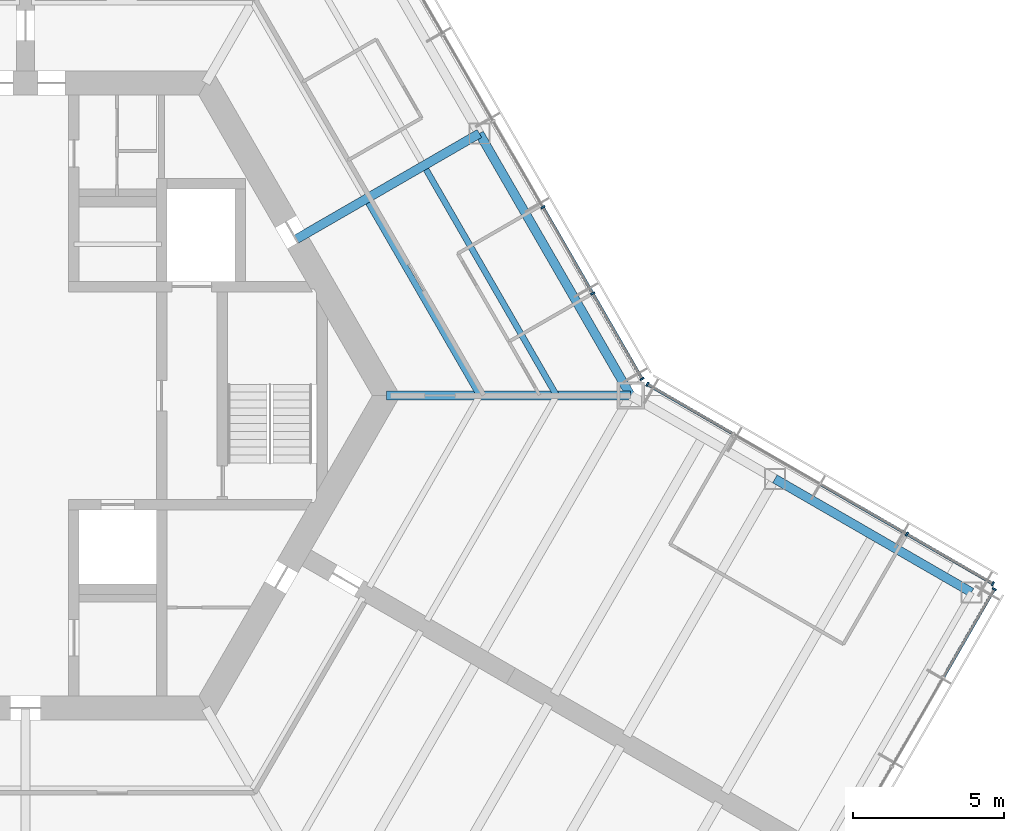
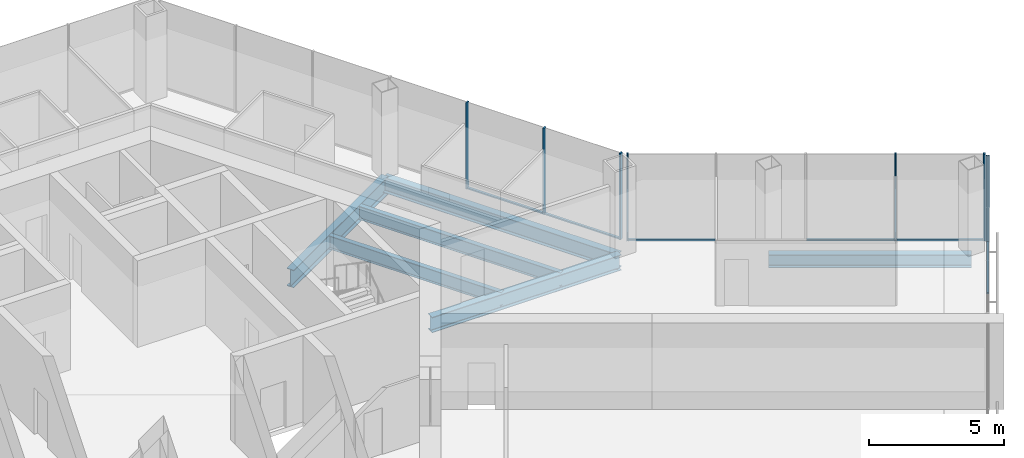
# One storey, part 5 of 15: 13 members, 6 beams, 3 elements without a shape of their own.
"""IFC4 building model written with IfcOpenShell, lengths in metres."""

from ifc_helpers import new_model, si_unit, direction, frame, origin, origin_2d, place, context, subcontext, project, spatial, rectangle, i_section, extrude, material, material_profile, profile_set, type_object, element, aggregate, save


model = new_model("IFC4")

# Units and contexts
model_context = context("Model", 3, precision=1e-05, world=origin(), true_north=direction((0.0, 1.0)))
body_context = subcontext(model_context, "Body", "Model", "MODEL_VIEW")
ifc_project = project(units=[si_unit("LENGTHUNIT", "METRE"), si_unit("AREAUNIT", "SQUARE_METRE"), si_unit("VOLUMEUNIT", "CUBIC_METRE"), si_unit("PLANEANGLEUNIT", "RADIAN"), si_unit("MASSUNIT", "GRAM", prefix="KILO")], contexts=[model_context])

# Site, building, storey
site_placement = place(None, origin())
site = spatial("IfcSite", under=ifc_project, at=site_placement, CompositionType="ELEMENT")
building_placement = place(site_placement, origin())
building = spatial("IfcBuilding", under=site, at=building_placement, Name="Kasaneha Research Tower", CompositionType="ELEMENT")
storey_placement = place(building_placement, frame((0.0, 0.0, 212.800048828125)))
storey = spatial("IfcBuildingStorey", under=building, at=storey_placement, Name="L53", CompositionType="ELEMENT", Elevation=212.800048828125)

# Beams
ifc_material_1 = material(Name="Steel SN490B", Category="steel")
ifc_material_profile_1 = material_profile(ifc_material_1, i_section(OverallWidth=0.199951171875, OverallDepth=0.60009765625, WebThickness=0.010986328125, FlangeThickness=0.01708984375, FilletRadius=0.012939453125, at=origin_2d()), Name="H-600x200x11x17")
ifc_profile_set_1 = profile_set([ifc_material_profile_1], Name="Steel SN490B")
beam_type_1 = type_object("IfcBeamType", Name="B1-3 secondary beam H-600x200x11x17", PredefinedType="JOIST", material=ifc_profile_set_1)
beam_1_placement = place(storey_placement, frame((15.010986328125, 0.0, -0.449951171875), z_axis=(-0.499994443168, 0.866028611999, 0.0), x_axis=(-0.866028611999, -0.499994443168, 0.0)))
element("IfcBeam", 1, at=beam_1_placement, inside=storey, type_object=beam_type_1, Name="Secondary beam RS030L1 L53", PredefinedType="JOIST", context=body_context, shape_type="SweptSolid", body=[
    extrude(i_section(OverallWidth=0.199951171875, OverallDepth=0.60009765625, WebThickness=0.010986328125, FlangeThickness=0.01708984375, FilletRadius=0.012939453125, at=origin_2d()), origin(), (0.0, 0.0, 1.0), 7.35546875),
])
beam_2_placement = place(storey_placement, frame((17.551513671875, 0.0, -0.449951171875), z_axis=(-0.5000050195, 0.866022505755, 0.0), x_axis=(-0.866022505755, -0.5000050195, 0.0)))
element("IfcBeam", 2, at=beam_2_placement, inside=storey, type_object=beam_type_1, Name="Secondary beam RS030L2 L53", PredefinedType="JOIST", context=body_context, shape_type="SweptSolid", body=[
    extrude(i_section(OverallWidth=0.199951171875, OverallDepth=0.60009765625, WebThickness=0.010986328125, FlangeThickness=0.01708984375, FilletRadius=0.012939453125, at=origin_2d()), origin(), (0.0, 0.0, 1.0), 8.6259765625),
])

# Curtain wall, members
ifc_material_2 = material(Name="Glass and aluminium", Category="aluminium")
curtain_wall_type = type_object("IfcCurtainWallType", Name="High-rise office curtain wall", PredefinedType="USERDEFINED", material=ifc_material_2)
curtain_wall_1_placement = place(storey_placement, origin())
curtain_wall_1 = element("IfcCurtainWall", 3, at=curtain_wall_1_placement, inside=storey, type_object=curtain_wall_type, Name="CW-O3 L53 run 01a", ObjectType="UNITISED CURTAIN WALL", PredefinedType="USERDEFINED")
ifc_material_3 = material(Name="Aluminium 6063-T6", Category="aluminium")
ifc_material_profile_2 = material_profile(ifc_material_3, rectangle(XDim=0.06005859375, YDim=0.139892578125, at=origin_2d()), Name="CW-O3 mullion 60x140")
ifc_profile_set_2 = profile_set([ifc_material_profile_2], Name="Aluminium 6063-T6")
member_type_1 = type_object("IfcMemberType", Name="CW-O3 mullion", PredefinedType="MULLION", material=ifc_profile_set_2)
member_1_placement = place(storey_placement, frame((20.374267578125, 0.5517578125, 0.0), z_axis=(0.0, 0.0, 1.0), x_axis=(-0.499999979232, 0.866025415775, 0.0)))
member_1 = element("IfcMember", 4, at=member_1_placement, type_object=member_type_1, Name="CW-O3 mullion 1", PredefinedType="MULLION", context=body_context, shape_type="SweptSolid", body=[
    extrude(rectangle(XDim=0.06005859375, YDim=0.139892578125, at=origin_2d()), origin(), (0.0, 0.0, 1.0), 3.89990234375),
])
member_2_placement = place(storey_placement, frame((18.744384765625, 3.374755859375, 0.0), z_axis=(0.0, 0.0, 1.0), x_axis=(-0.499999979232, 0.866025415775, 0.0)))
member_2 = element("IfcMember", 5, at=member_2_placement, type_object=member_type_1, Name="CW-O3 mullion 2", PredefinedType="MULLION", context=body_context, shape_type="SweptSolid", body=[
    extrude(rectangle(XDim=0.06005859375, YDim=0.139892578125, at=origin_2d()), origin(), (0.0, 0.0, 1.0), 3.89990234375),
])
member_3_placement = place(storey_placement, frame((17.099609375, 6.223388671875, 0.0), z_axis=(0.0, 0.0, 1.0), x_axis=(-0.499999979232, 0.866025415775, 0.0)))
member_3 = element("IfcMember", 6, at=member_3_placement, type_object=member_type_1, Name="CW-O3 mullion 3", PredefinedType="MULLION", context=body_context, shape_type="SweptSolid", body=[
    extrude(rectangle(XDim=0.06005859375, YDim=0.139892578125, at=origin_2d()), origin(), (0.0, 0.0, 1.0), 3.89990234375),
])

# Curtain wall, member
curtain_wall_2_placement = place(storey_placement, origin())
curtain_wall_2 = element("IfcCurtainWall", 7, at=curtain_wall_2_placement, inside=storey, type_object=curtain_wall_type, Name="CW-O3 L53 run 08a", ObjectType="UNITISED CURTAIN WALL", PredefinedType="USERDEFINED")
member_4_placement = place(storey_placement, frame((32.012939453125, -6.39306640625, 0.0), z_axis=(0.0, 0.0, 1.0), x_axis=(0.500000011442, 0.866025397178, 0.0)))
member_4 = element("IfcMember", 8, at=member_4_placement, type_object=member_type_1, Name="CW-O3 mullion 4", PredefinedType="MULLION", context=body_context, shape_type="SweptSolid", body=[
    extrude(rectangle(XDim=0.06005859375, YDim=0.139892578125, at=origin_2d()), origin(), (0.0, 0.0, 1.0), 3.89990234375),
])

# Curtain wall, members
curtain_wall_3_placement = place(storey_placement, origin())
curtain_wall_3 = element("IfcCurtainWall", 9, at=curtain_wall_3_placement, inside=storey, type_object=curtain_wall_type, Name="CW-O3 L53 run 09a", ObjectType="UNITISED CURTAIN WALL", PredefinedType="USERDEFINED")
member_5_placement = place(storey_placement, frame((31.96533203125, -6.21533203125, 0.0), z_axis=(0.0, 0.0, 1.0), x_axis=(-0.866025411464, 0.499999986699, 0.0)))
member_5 = element("IfcMember", 10, at=member_5_placement, type_object=member_type_1, Name="CW-O3 mullion 1", PredefinedType="MULLION", context=body_context, shape_type="SweptSolid", body=[
    extrude(rectangle(XDim=0.06005859375, YDim=0.139892578125, at=origin_2d()), origin(), (0.0, 0.0, 1.0), 3.89990234375),
])
member_6_placement = place(storey_placement, frame((29.125, -4.575439453125, 0.0), z_axis=(0.0, 0.0, 1.0), x_axis=(-0.866025411464, 0.499999986699, 0.0)))
member_6 = element("IfcMember", 11, at=member_6_placement, type_object=member_type_1, Name="CW-O3 mullion 2", PredefinedType="MULLION", context=body_context, shape_type="SweptSolid", body=[
    extrude(rectangle(XDim=0.06005859375, YDim=0.139892578125, at=origin_2d()), origin(), (0.0, 0.0, 1.0), 3.89990234375),
])
member_7_placement = place(storey_placement, frame((20.5517578125, 0.374267578125, 0.0), z_axis=(0.0, 0.0, 1.0), x_axis=(-0.866025411464, 0.499999986699, 0.0)))
member_7 = element("IfcMember", 12, at=member_7_placement, type_object=member_type_1, Name="CW-O3 mullion 5", PredefinedType="MULLION", context=body_context, shape_type="SweptSolid", body=[
    extrude(rectangle(XDim=0.06005859375, YDim=0.139892578125, at=origin_2d()), origin(), (0.0, 0.0, 1.0), 3.89990234375),
])

# Member
ifc_material_4 = material(Name="Aluminium 6063-T6", Category="aluminium")
ifc_material_profile_3 = material_profile(ifc_material_4, rectangle(XDim=0.10009765625, YDim=0.06005859375, at=origin_2d()), Name="CW-O3 transom 100x60")
ifc_profile_set_3 = profile_set([ifc_material_profile_3], Name="Aluminium 6063-T6")
member_type_2 = type_object("IfcMemberType", Name="CW-O3 transom", PredefinedType="USERDEFINED", material=ifc_profile_set_3)
member_8_placement = place(storey_placement, frame((20.359130859375, 0.577880859375, 0.030029296875), z_axis=(-0.499980071345, 0.866036909293, 0.0), x_axis=(-0.866036909293, -0.499980071345, 0.0)))
member_8 = element("IfcMember", 13, at=member_8_placement, type_object=member_type_2, Name="CW-O3 transom 1", ObjectType="TRANSOM", PredefinedType="USERDEFINED", context=body_context, shape_type="SweptSolid", body=[
    extrude(rectangle(XDim=0.10009765625, YDim=0.06005859375, at=origin_2d()), origin(), (0.0, 0.0, 1.0), 3.199462890625),
])

member_9_placement = place(storey_placement, frame((18.7294921875, 3.400634765625, 0.030029296875), z_axis=(-0.49999293077, 0.866029485168, 0.0), x_axis=(-0.866029485168, -0.49999293077, 0.0)))
member_9 = element("IfcMember", 14, at=member_9_placement, type_object=member_type_2, Name="CW-O3 transom 2", ObjectType="TRANSOM", PredefinedType="USERDEFINED", context=body_context, shape_type="SweptSolid", body=[
    extrude(rectangle(XDim=0.10009765625, YDim=0.06005859375, at=origin_2d()), origin(), (0.0, 0.0, 1.0), 3.2294921875),
])

aggregate(curtain_wall_1, [member_1, member_2, member_3, member_8, member_9])

member_10_placement = place(storey_placement, frame((30.343017578125, -9.285400390625, 0.030029296875), z_axis=(0.500018282537, 0.866014848099, 0.0), x_axis=(-0.866014848099, 0.500018282537, 0.0)))
member_10 = element("IfcMember", 15, at=member_10_placement, type_object=member_type_2, Name="CW-O3 transom 3", ObjectType="TRANSOM", PredefinedType="USERDEFINED", context=body_context, shape_type="SweptSolid", body=[
    extrude(rectangle(XDim=0.10009765625, YDim=0.06005859375, at=origin_2d()), origin(), (0.0, 0.0, 1.0), 3.31005859375),
])

aggregate(curtain_wall_2, [member_4, member_10])

member_11_placement = place(storey_placement, frame((31.939453125, -6.200439453125, 0.030029296875), z_axis=(-0.866041647767, 0.499971863542, 0.0), x_axis=(-0.499971863542, -0.866041647767, 0.0)))
member_11 = element("IfcMember", 16, at=member_11_placement, type_object=member_type_2, Name="CW-O3 transom 1", ObjectType="TRANSOM", PredefinedType="USERDEFINED", context=body_context, shape_type="SweptSolid", body=[
    extrude(rectangle(XDim=0.10009765625, YDim=0.06005859375, at=origin_2d()), origin(), (0.0, 0.0, 1.0), 3.219970703125),
])

member_12_placement = place(storey_placement, frame((29.098876953125, -4.560546875, 0.030029296875), z_axis=(-0.86599666273, 0.500049777664, 0.0), x_axis=(-0.500049777664, -0.86599666273, 0.0)))
member_12 = element("IfcMember", 17, at=member_12_placement, type_object=member_type_2, Name="CW-O3 transom 2", ObjectType="TRANSOM", PredefinedType="USERDEFINED", context=body_context, shape_type="SweptSolid", body=[
    extrude(rectangle(XDim=0.10009765625, YDim=0.06005859375, at=origin_2d()), origin(), (0.0, 0.0, 1.0), 3.249755859375),
])

member_13_placement = place(storey_placement, frame((23.3662109375, -1.250732421875, 0.030029296875), z_axis=(-0.866022692473, 0.500004696101, 0.0), x_axis=(-0.500004696101, -0.866022692473, 0.0)))
member_13 = element("IfcMember", 18, at=member_13_placement, type_object=member_type_2, Name="CW-O3 transom 4", ObjectType="TRANSOM", PredefinedType="USERDEFINED", context=body_context, shape_type="SweptSolid", body=[
    extrude(rectangle(XDim=0.10009765625, YDim=0.06005859375, at=origin_2d()), origin(), (0.0, 0.0, 1.0), 3.2197265625),
])

aggregate(curtain_wall_3, [member_5, member_6, member_7, member_11, member_12, member_13])

# Beams
ifc_material_5 = material(Name="Steel SN490B", Category="steel")
ifc_material_profile_4 = material_profile(ifc_material_5, i_section(OverallWidth=0.300048828125, OverallDepth=0.699951171875, WebThickness=0.012939453125, FlangeThickness=0.02392578125, FilletRadius=0.01806640625, at=origin_2d()), Name="H-700x300x13x24")
ifc_profile_set_4 = profile_set([ifc_material_profile_4], Name="Steel SN490B")
beam_type_2 = type_object("IfcBeamType", Name="G1-3 radial girder H-700x300x13x24", PredefinedType="BEAM", material=ifc_profile_set_4)
beam_3_placement = place(storey_placement, frame((11.92236328125, 0.0, -0.5), z_axis=(1.0, 0.0, 0.0), x_axis=(0.0, 1.0, 0.0)))
element("IfcBeam", 19, at=beam_3_placement, inside=storey, type_object=beam_type_2, Name="Radial girder RV000 L53", PredefinedType="BEAM", context=body_context, shape_type="SweptSolid", body=[
    extrude(i_section(OverallWidth=0.300048828125, OverallDepth=0.699951171875, WebThickness=0.012939453125, FlangeThickness=0.02392578125, FilletRadius=0.01806640625, at=origin_2d()), origin(), (0.0, 0.0, 1.0), 8.07763671875),
])
ifc_material_6 = material(Name="Steel SN490B", Category="steel")
ifc_material_profile_5 = material_profile(ifc_material_6, i_section(OverallWidth=0.300048828125, OverallDepth=0.800048828125, WebThickness=0.013916015625, FlangeThickness=0.02587890625, FilletRadius=0.01806640625, at=origin_2d()), Name="H-800x300x14x26")
ifc_profile_set_5 = profile_set([ifc_material_profile_5], Name="Steel SN490B")
beam_type_3 = type_object("IfcBeamType", Name="G2-3 radial girder H-800x300x14x26", PredefinedType="BEAM", material=ifc_profile_set_5)
beam_4_placement = place(storey_placement, frame((8.941650390625, 5.16259765625, -0.550048828125), z_axis=(0.866039713508, 0.499975214012, 0.0), x_axis=(-0.499975214012, 0.866039713508, 0.0)))
element("IfcBeam", 20, at=beam_4_placement, inside=storey, type_object=beam_type_3, Name="Radial girder RM030 L53", PredefinedType="BEAM", context=body_context, shape_type="SweptSolid", body=[
    extrude(i_section(OverallWidth=0.300048828125, OverallDepth=0.800048828125, WebThickness=0.013916015625, FlangeThickness=0.02587890625, FilletRadius=0.01806640625, at=origin_2d()), origin(), (0.0, 0.0, 1.0), 6.995361328125),
])
ifc_material_7 = material(Name="Steel SN490B", Category="steel")
ifc_material_profile_6 = material_profile(ifc_material_7, i_section(OverallWidth=0.300048828125, OverallDepth=0.69189453125, WebThickness=0.012939453125, FlangeThickness=0.02001953125, FilletRadius=0.01806640625, at=origin_2d()), Name="H-692x300x13x20")
ifc_profile_set_6 = profile_set([ifc_material_profile_6], Name="Steel SN490B")
beam_type_4 = type_object("IfcBeamType", Name="SB1-3 spandrel beam H-692x300x13x20", PredefinedType="SPANDREL", material=ifc_profile_set_6)
beam_5_placement = place(storey_placement, frame((20.0, 0.0, -0.49609375), z_axis=(-0.500004234368, 0.866022959057, 0.0), x_axis=(-0.866022959057, -0.500004234368, 0.0)))
element("IfcBeam", 21, at=beam_5_placement, inside=storey, type_object=beam_type_4, Name="Spandrel beam SR030L L53", PredefinedType="SPANDREL", context=body_context, shape_type="SweptSolid", body=[
    extrude(i_section(OverallWidth=0.300048828125, OverallDepth=0.69189453125, WebThickness=0.012939453125, FlangeThickness=0.02001953125, FilletRadius=0.01806640625, at=origin_2d()), origin(), (0.0, 0.0, 1.0), 10.0),
])
ifc_material_8 = material(Name="Steel SN490B", Category="steel")
ifc_material_profile_7 = material_profile(ifc_material_8, i_section(OverallWidth=0.300048828125, OverallDepth=0.58203125, WebThickness=0.011962890625, FlangeThickness=0.01708984375, FilletRadius=0.012939453125, at=origin_2d()), Name="H-582x300x12x17")
ifc_profile_set_7 = profile_set([ifc_material_profile_7], Name="Steel SN490B")
beam_type_5 = type_object("IfcBeamType", Name="SB2-3 spandrel beam H-582x300x12x17", PredefinedType="SPANDREL", material=ifc_profile_set_7)
beam_6_placement = place(storey_placement, frame((24.76318359375, -2.75, -0.441162109375), z_axis=(0.866022959057, -0.500004234368, 0.0), x_axis=(0.500004234368, 0.866022959057, 0.0)))
element("IfcBeam", 22, at=beam_6_placement, inside=storey, type_object=beam_type_5, Name="Spandrel beam WSCN2 L53", PredefinedType="SPANDREL", context=body_context, shape_type="SweptSolid", body=[
    extrude(i_section(OverallWidth=0.300048828125, OverallDepth=0.58203125, WebThickness=0.011962890625, FlangeThickness=0.01708984375, FilletRadius=0.012939453125, at=origin_2d()), origin(), (0.0, 0.0, 1.0), 7.5),
])

save(model, "model.ifc")
